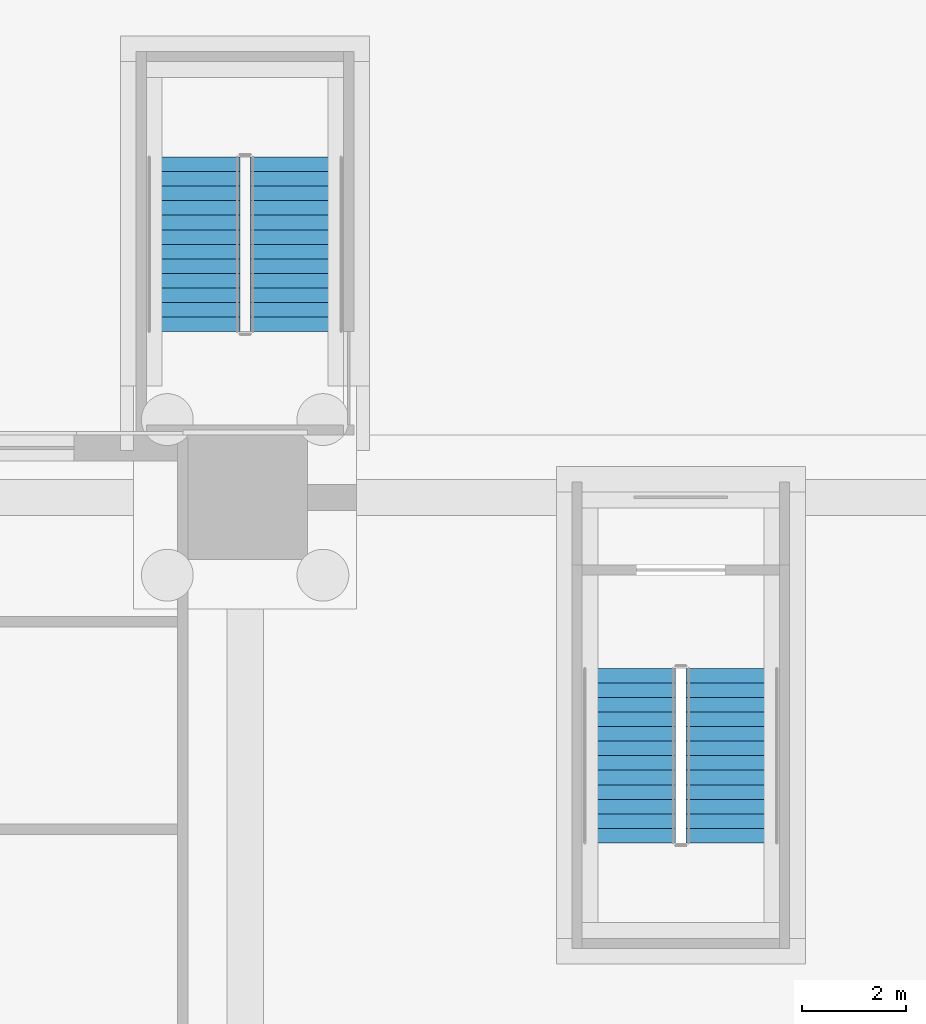
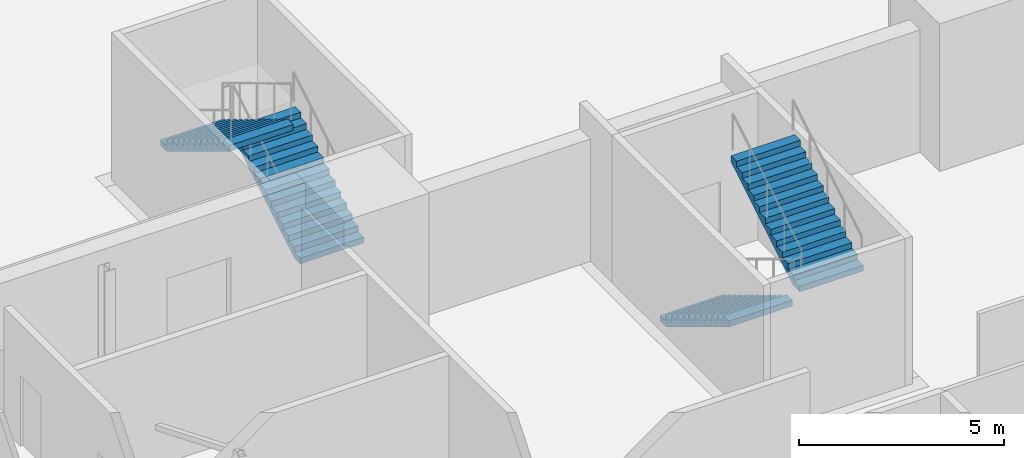
# One storey, part 107 of 139: 4 stair flights, 2 elements without a shape of their own.
"""IFC4 building model written with IfcOpenShell, lengths in metres."""

import ifcopenshell
import ifcopenshell.guid

model = None  # the IFC model being written
_history = None  # IfcOwnerHistory: only IFC2X3 demands one
_inside = {}  # id of a spatial element -> (the spatial element, [elements in it])
_under = {}  # id of a project, library or spatial element -> (it, [spatial elements below it])
_declared = {}  # id of a project -> (the project, [libraries it declares])
_typed = {}  # id of a type object -> (the type object, [elements of that type])
_made_of = {}  # id of a material, layer set ... -> (it, [elements and type objects made of it])


def new_model(schema):
    """Start an empty IFC model of exactly this schema.

    Asked for "IFC4X3", IfcOpenShell would pick the latest addendum, in which some entities
    have other attributes; the version numbers below select the first issue.
    IFC2X3 requires an IfcOwnerHistory on every rooted entity: one is made here for all.
    """
    global model, _history
    if schema == "IFC4X3":
        model = ifcopenshell.file(schema_version=(4, 3, 0, 0))
    else:
        model = ifcopenshell.file(schema=schema)
    _inside.clear()
    _under.clear()
    _declared.clear()
    _typed.clear()
    _made_of.clear()
    _history = None
    if model.schema == "IFC2X3":
        org = make("IfcOrganization", Name="unknown")
        user = make(
            "IfcPersonAndOrganization",
            ThePerson=make("IfcPerson", FamilyName="unknown"),
            TheOrganization=org,
        )
        app = make(
            "IfcApplication",
            ApplicationDeveloper=org,
            Version="unknown",
            ApplicationFullName="unknown",
            ApplicationIdentifier="unknown",
        )
        _history = make(
            "IfcOwnerHistory",
            OwningUser=user,
            OwningApplication=app,
            ChangeAction="ADDED",
            CreationDate=0,
        )
    return model


def make(cls, **values):
    """One entity of the class cls with the attributes given. An attribute that is None is left unset."""
    return model.create_entity(
        cls, **{name: value for name, value in values.items() if value is not None}
    )


def rooted(cls, **values):
    """An entity with a GlobalId (a new one), such as an element, a storey or a relation."""
    return make(cls, GlobalId=ifcopenshell.guid.new(), OwnerHistory=_history, **values)


def si_unit(unit_type, name, prefix=None):
    """IfcSIUnit, for example si_unit("LENGTHUNIT", "METRE", prefix="MILLI")."""
    return make("IfcSIUnit", UnitType=unit_type, Prefix=prefix, Name=name)


def assignment(units):
    """IfcUnitAssignment: the units of a project."""
    return None if units is None else make("IfcUnitAssignment", Units=units)


def point(xyz):
    """IfcCartesianPoint."""
    return None if xyz is None else make("IfcCartesianPoint", Coordinates=xyz)


def direction(xyz):
    """IfcDirection."""
    return None if xyz is None else make("IfcDirection", DirectionRatios=xyz)


def frame(location, z_axis=None, x_axis=None):
    """IfcAxis2Placement3D, a coordinate frame: its origin and axes. An axis left out is left unset."""
    return make(
        "IfcAxis2Placement3D",
        Location=point(location),
        Axis=direction(z_axis),
        RefDirection=direction(x_axis),
    )


def origin():
    """The frame at (0, 0, 0) with its axes left unset."""
    return frame((0.0, 0.0, 0.0))


def place(relative_to, where):
    """IfcLocalPlacement: puts the frame where relative to a parent placement (None: the world)."""
    return make(
        "IfcLocalPlacement", PlacementRelTo=relative_to, RelativePlacement=where
    )


def context(
    kind, dimensions, precision=None, world=None, true_north=None, identifier=None
):
    """IfcGeometricRepresentationContext, for example the 3D "Model" context."""
    return make(
        "IfcGeometricRepresentationContext",
        ContextIdentifier=identifier,
        ContextType=kind,
        CoordinateSpaceDimension=dimensions,
        Precision=precision,
        WorldCoordinateSystem=world,
        TrueNorth=true_north,
    )


def subcontext(parent, identifier, kind, view, scale=None):
    """IfcGeometricRepresentationSubContext, for example "Body" below "Model"."""
    return make(
        "IfcGeometricRepresentationSubContext",
        ContextIdentifier=identifier,
        ContextType=kind,
        ParentContext=parent,
        TargetScale=scale,
        TargetView=view,
    )


def project(units=None, contexts=None):
    """IfcProject with its units and contexts."""
    return rooted(
        "IfcProject",
        Name="project",
        RepresentationContexts=contexts,
        UnitsInContext=assignment(units),
    )


def spatial(cls, under=None, at=None, **own):
    """A site, building, storey or space (cls), placed at a placement, below another one or the project."""
    s = rooted(cls, ObjectPlacement=at, **own)
    if under is not None:
        _under.setdefault(under.id(), (under, []))[1].append(s)
    return s


def point_list(points):
    """IfcCartesianPointList2D or 3D."""
    cls = (
        "IfcCartesianPointList2D" if len(points[0]) == 2 else "IfcCartesianPointList3D"
    )
    return make(cls, CoordList=points)


def polygons(points, faces, closed=None, point_numbers=None):
    """IfcPolygonalFaceSet: a face is its outer loop, then its inner loops; points numbered from 1."""
    made = []
    for loops in faces:
        if len(loops) == 1:
            made.append(make("IfcIndexedPolygonalFace", CoordIndex=loops[0]))
        else:
            made.append(
                make(
                    "IfcIndexedPolygonalFaceWithVoids",
                    CoordIndex=loops[0],
                    InnerCoordIndices=loops[1:],
                )
            )
    return make(
        "IfcPolygonalFaceSet",
        Coordinates=point_list(points),
        Closed=closed,
        Faces=made,
        PnIndex=point_numbers,
    )


def shape(context_of_items, identifier, shape_type, items):
    """IfcShapeRepresentation: the items that make up one representation, for example the "Body"."""
    return make(
        "IfcShapeRepresentation",
        ContextOfItems=context_of_items,
        RepresentationIdentifier=identifier,
        RepresentationType=shape_type,
        Items=items,
    )


def material(Name=None, Category=None):
    """IfcMaterial."""
    return make("IfcMaterial", Name=Name, Category=Category)


def made_of(thing, what):
    """Note that an element or type object is made of a material, layer set ...; save() writes the relation."""
    if what is not None:
        _made_of.setdefault(what.id(), (what, []))[1].append(thing)
    return thing


def type_object(cls, material=None, **own):
    """A type object (cls), such as IfcWallType, which elements share."""
    return made_of(rooted(cls, **own), material)


def element(
    cls,
    number,
    at=None,
    inside=None,
    cuts=None,
    type_object=None,
    material=None,
    context=None,
    identifier="Body",
    shape_type=None,
    held_by="IfcProductDefinitionShape",
    body=None,
    shapes=None,
    **own,
):
    """One element of the class cls, such as IfcWall. Its Tag is "e" and its number.

    at: its placement. inside: the storey or other place that contains it. cuts: it is an
    opening in that element (IfcRelVoidsElement). A single representation is given by context,
    identifier, shape_type and body (its items); several are given by shapes. held_by: the class
    of the entity that holds the representations. save() writes the other relations.
    """
    e = rooted(cls, Tag="e%d" % number, ObjectPlacement=at, **own)
    if body is not None:
        shapes = [shape(context, identifier, shape_type, body)]
    if shapes is not None:
        e.Representation = make(held_by, Representations=shapes)
    if inside is not None:
        _inside.setdefault(inside.id(), (inside, []))[1].append(e)
    if cuts is not None:
        rooted(
            "IfcRelVoidsElement", RelatingBuildingElement=cuts, RelatedOpeningElement=e
        )
    if type_object is not None:
        _typed.setdefault(type_object.id(), (type_object, []))[1].append(e)
    return made_of(e, material)


def aggregate(whole, parts):
    """IfcRelAggregates: a whole, such as a stair, and the parts it consists of."""
    return rooted("IfcRelAggregates", RelatingObject=whole, RelatedObjects=parts)


def save(model, path):
    """Write the relations noted so far, then the file.

    IfcRelAggregates (storeys below a building ...), IfcRelContainedInSpatialStructure (elements
    in a storey), IfcRelDefinesByType, IfcRelAssociatesMaterial and IfcRelDeclares: one each for
    every whole, place, type object, material and project.
    """
    for whole, parts in _under.values():
        aggregate(whole, parts)
    for where, things in _inside.values():
        rooted(
            "IfcRelContainedInSpatialStructure",
            RelatedElements=things,
            RelatingStructure=where,
        )
    for kind, things in _typed.values():
        rooted("IfcRelDefinesByType", RelatedObjects=things, RelatingType=kind)
    for what, things in _made_of.values():
        rooted("IfcRelAssociatesMaterial", RelatedObjects=things, RelatingMaterial=what)
    for by, libraries in _declared.values():
        rooted("IfcRelDeclares", RelatingContext=by, RelatedDefinitions=libraries)
    model.write(path)


model = new_model("IFC4")

# Units and contexts
model_context = context("Model", 3, precision=1e-05, world=origin(), true_north=direction((0.0, 1.0)))
body_context = subcontext(model_context, "Body", "Model", "MODEL_VIEW")
ifc_project = project(units=[si_unit("LENGTHUNIT", "METRE"), si_unit("AREAUNIT", "SQUARE_METRE"), si_unit("VOLUMEUNIT", "CUBIC_METRE"), si_unit("PLANEANGLEUNIT", "RADIAN"), si_unit("MASSUNIT", "GRAM", prefix="KILO")], contexts=[model_context])

# Site, building, storey
site_placement = place(None, origin())
site = spatial("IfcSite", under=ifc_project, at=site_placement, CompositionType="ELEMENT")
building_placement = place(site_placement, origin())
building = spatial("IfcBuilding", under=site, at=building_placement, Name="Verrick Yard Athletic Hall", CompositionType="ELEMENT")
storey_placement = place(building_placement, origin())
storey = spatial("IfcBuildingStorey", under=building, at=storey_placement, Name="L00", CompositionType="ELEMENT", Elevation=0.0)

# Stair, stair flights
ifc_material = material(Name="Concrete 35 MPa", Category="concrete")
stair_type = type_object("IfcStairType", Name="Stair ST3 1800 wide 26 risers", PredefinedType="HALF_TURN_STAIR", material=ifc_material)
stair_1_placement = place(storey_placement, origin())
stair_1 = element("IfcStair", 1, at=stair_1_placement, inside=storey, type_object=stair_type, Name="North deck escape 1 stair L00", PredefinedType="HALF_TURN_STAIR")
stair_flight_type = type_object("IfcStairFlightType", Name="Stair flight SF3 1800 wide 13 risers", PredefinedType="STRAIGHT", material=ifc_material)
stair_flight_1_placement = place(storey_placement, frame((41.0, 56.0, 0.0), z_axis=(0.0, 0.0, 1.0), x_axis=(0.0, 1.0, 0.0)))
stair_flight_1 = element("IfcStairFlight", 2, at=stair_flight_1_placement, type_object=stair_flight_type, Name="ST3 flight 1", NumberOfRisers=13, NumberOfTreads=12, PredefinedType="STRAIGHT", RiserHeight=0.169230769, TreadLength=0.28, context=body_context, shape_type="Tessellation", body=[
    polygons([(0.28980123017674275, -0.89990234375, 0.0), (3.3600000000000003, -0.89990234375, 1.855614638571585), (3.3600000000000003, -0.89990234375, 2.030769228), (3.08, -0.89990234375, 2.030769228), (3.08, -0.89990234375, 1.8615384590000001), (2.8000000000000003, -0.89990234375, 1.8615384590000001), (2.8000000000000003, -0.89990234375, 1.69230769), (2.5200000000000005, -0.89990234375, 1.69230769), (2.5200000000000005, -0.89990234375, 1.523076921), (2.24, -0.89990234375, 1.523076921), (2.24, -0.89990234375, 1.353846152), (1.9600000000000002, -0.89990234375, 1.353846152), (1.9600000000000002, -0.89990234375, 1.1846153830000001), (1.6800000000000002, -0.89990234375, 1.1846153830000001), (1.6800000000000002, -0.89990234375, 1.015384614), (1.4000000000000001, -0.89990234375, 1.015384614), (1.4000000000000001, -0.89990234375, 0.846153845), (1.12, -0.89990234375, 0.846153845), (1.12, -0.89990234375, 0.676923076), (0.8400000000000001, -0.89990234375, 0.676923076), (0.8400000000000001, -0.89990234375, 0.507692307), (0.56, -0.89990234375, 0.507692307), (0.56, -0.89990234375, 0.338461538), (0.28, -0.89990234375, 0.338461538), (0.28, -0.89990234375, 0.169230769), (0.0, -0.89990234375, 0.169230769), (0.0, -0.89990234375, 0.0), (0.28980123017674275, -0.179931640625, 0.0), (3.3600000000000003, -0.179931640625, 1.855614638571585), (3.3600000000000003, -0.179931640625, 2.030769228), (3.08, -0.179931640625, 2.030769228), (3.08, -0.179931640625, 1.8615384590000001), (2.8000000000000003, -0.179931640625, 1.8615384590000001), (2.8000000000000003, -0.179931640625, 1.69230769), (2.5200000000000005, -0.179931640625, 1.69230769), (2.5200000000000005, -0.179931640625, 1.523076921), (2.24, -0.179931640625, 1.523076921), (2.24, -0.179931640625, 1.353846152), (1.9600000000000002, -0.179931640625, 1.353846152), (1.9600000000000002, -0.179931640625, 1.1846153830000001), (1.6800000000000002, -0.179931640625, 1.1846153830000001), (1.6800000000000002, -0.179931640625, 1.015384614), (1.4000000000000001, -0.179931640625, 1.015384614), (1.4000000000000001, -0.179931640625, 0.846153845), (1.12, -0.179931640625, 0.846153845), (1.12, -0.179931640625, 0.676923076), (0.8400000000000001, -0.179931640625, 0.676923076), (0.8400000000000001, -0.179931640625, 0.507692307), (0.56, -0.179931640625, 0.507692307), (0.56, -0.179931640625, 0.338461538), (0.28, -0.179931640625, 0.338461538), (0.28, -0.179931640625, 0.169230769), (0.0, -0.179931640625, 0.169230769), (0.0, -0.179931640625, 0.0), (0.28980123017674275, 0.179931640625, 0.0), (3.3600000000000003, 0.179931640625, 1.855614638571585), (3.3600000000000003, 0.179931640625, 2.030769228), (3.08, 0.179931640625, 2.030769228), (3.08, 0.179931640625, 1.8615384590000001), (2.8000000000000003, 0.179931640625, 1.8615384590000001), (2.8000000000000003, 0.179931640625, 1.69230769), (2.5200000000000005, 0.179931640625, 1.69230769), (2.5200000000000005, 0.179931640625, 1.523076921), (2.24, 0.179931640625, 1.523076921), (2.24, 0.179931640625, 1.353846152), (1.9600000000000002, 0.179931640625, 1.353846152), (1.9600000000000002, 0.179931640625, 1.1846153830000001), (1.6800000000000002, 0.179931640625, 1.1846153830000001), (1.6800000000000002, 0.179931640625, 1.015384614), (1.4000000000000001, 0.179931640625, 1.015384614), (1.4000000000000001, 0.179931640625, 0.846153845), (1.12, 0.179931640625, 0.846153845), (1.12, 0.179931640625, 0.676923076), (0.8400000000000001, 0.179931640625, 0.676923076), (0.8400000000000001, 0.179931640625, 0.507692307), (0.56, 0.179931640625, 0.507692307), (0.56, 0.179931640625, 0.338461538), (0.28, 0.179931640625, 0.338461538), (0.28, 0.179931640625, 0.169230769), (0.0, 0.179931640625, 0.169230769), (0.0, 0.179931640625, 0.0), (0.28980123017674275, 0.89990234375, 0.0), (3.3600000000000003, 0.89990234375, 1.855614638571585), (3.3600000000000003, 0.89990234375, 2.030769228), (3.08, 0.89990234375, 2.030769228), (3.08, 0.89990234375, 1.8615384590000001), (2.8000000000000003, 0.89990234375, 1.8615384590000001), (2.8000000000000003, 0.89990234375, 1.69230769), (2.5200000000000005, 0.89990234375, 1.69230769), (2.5200000000000005, 0.89990234375, 1.523076921), (2.24, 0.89990234375, 1.523076921), (2.24, 0.89990234375, 1.353846152), (1.9600000000000002, 0.89990234375, 1.353846152), (1.9600000000000002, 0.89990234375, 1.1846153830000001), (1.6800000000000002, 0.89990234375, 1.1846153830000001), (1.6800000000000002, 0.89990234375, 1.015384614), (1.4000000000000001, 0.89990234375, 1.015384614), (1.4000000000000001, 0.89990234375, 0.846153845), (1.12, 0.89990234375, 0.846153845), (1.12, 0.89990234375, 0.676923076), (0.8400000000000001, 0.89990234375, 0.676923076), (0.8400000000000001, 0.89990234375, 0.507692307), (0.56, 0.89990234375, 0.507692307), (0.56, 0.89990234375, 0.338461538), (0.28, 0.89990234375, 0.338461538), (0.28, 0.89990234375, 0.169230769), (0.0, 0.89990234375, 0.169230769), (0.0, 0.89990234375, 0.0)], [[[1, 2, 3, 4, 5, 6, 7, 8, 9, 10, 11, 12, 13, 14, 15, 16, 17, 18, 19, 20, 21, 22, 23, 24, 25, 26, 27]], [[108, 107, 106, 105, 104, 103, 102, 101, 100, 99, 98, 97, 96, 95, 94, 93, 92, 91, 90, 89, 88, 87, 86, 85, 84, 83, 82]], [[1, 28, 29, 2]], [[2, 29, 30, 3]], [[3, 30, 31, 4]], [[4, 31, 32, 5]], [[5, 32, 33, 6]], [[6, 33, 34, 7]], [[7, 34, 35, 8]], [[8, 35, 36, 9]], [[9, 36, 37, 10]], [[10, 37, 38, 11]], [[11, 38, 39, 12]], [[12, 39, 40, 13]], [[13, 40, 41, 14]], [[14, 41, 42, 15]], [[15, 42, 43, 16]], [[16, 43, 44, 17]], [[17, 44, 45, 18]], [[18, 45, 46, 19]], [[19, 46, 47, 20]], [[20, 47, 48, 21]], [[21, 48, 49, 22]], [[22, 49, 50, 23]], [[23, 50, 51, 24]], [[24, 51, 52, 25]], [[25, 52, 53, 26]], [[26, 53, 54, 27]], [[27, 54, 28, 1]], [[28, 55, 56, 29]], [[29, 56, 57, 30]], [[30, 57, 58, 31]], [[31, 58, 59, 32]], [[32, 59, 60, 33]], [[33, 60, 61, 34]], [[34, 61, 62, 35]], [[35, 62, 63, 36]], [[36, 63, 64, 37]], [[37, 64, 65, 38]], [[38, 65, 66, 39]], [[39, 66, 67, 40]], [[40, 67, 68, 41]], [[41, 68, 69, 42]], [[42, 69, 70, 43]], [[43, 70, 71, 44]], [[44, 71, 72, 45]], [[45, 72, 73, 46]], [[46, 73, 74, 47]], [[47, 74, 75, 48]], [[48, 75, 76, 49]], [[49, 76, 77, 50]], [[50, 77, 78, 51]], [[51, 78, 79, 52]], [[52, 79, 80, 53]], [[53, 80, 81, 54]], [[54, 81, 55, 28]], [[55, 82, 83, 56]], [[56, 83, 84, 57]], [[57, 84, 85, 58]], [[58, 85, 86, 59]], [[59, 86, 87, 60]], [[60, 87, 88, 61]], [[61, 88, 89, 62]], [[62, 89, 90, 63]], [[63, 90, 91, 64]], [[64, 91, 92, 65]], [[65, 92, 93, 66]], [[66, 93, 94, 67]], [[67, 94, 95, 68]], [[68, 95, 96, 69]], [[69, 96, 97, 70]], [[70, 97, 98, 71]], [[71, 98, 99, 72]], [[72, 99, 100, 73]], [[73, 100, 101, 74]], [[74, 101, 102, 75]], [[75, 102, 103, 76]], [[76, 103, 104, 77]], [[77, 104, 105, 78]], [[78, 105, 106, 79]], [[79, 106, 107, 80]], [[80, 107, 108, 81]], [[81, 108, 82, 55]]], closed=True),
])
stair_flight_2_placement = place(storey_placement, frame((39.0, 59.360107421875, 2.199951171875), z_axis=(0.0, 0.0, 1.0), x_axis=(0.0, -1.0, 0.0)))
stair_flight_2 = element("IfcStairFlight", 3, at=stair_flight_2_placement, type_object=stair_flight_type, Name="ST3 flight 2", NumberOfRisers=13, NumberOfTreads=12, PredefinedType="STRAIGHT", RiserHeight=0.169230769, TreadLength=0.28, context=body_context, shape_type="Tessellation", body=[
    polygons([(0.28980123017674275, -0.89990234375, 0.0), (3.3600000000000003, -0.89990234375, 1.855614638571585), (3.3600000000000003, -0.89990234375, 2.030769228), (3.08, -0.89990234375, 2.030769228), (3.08, -0.89990234375, 1.8615384590000001), (2.8000000000000003, -0.89990234375, 1.8615384590000001), (2.8000000000000003, -0.89990234375, 1.69230769), (2.5200000000000005, -0.89990234375, 1.69230769), (2.5200000000000005, -0.89990234375, 1.523076921), (2.24, -0.89990234375, 1.523076921), (2.24, -0.89990234375, 1.353846152), (1.9600000000000002, -0.89990234375, 1.353846152), (1.9600000000000002, -0.89990234375, 1.1846153830000001), (1.6800000000000002, -0.89990234375, 1.1846153830000001), (1.6800000000000002, -0.89990234375, 1.015384614), (1.4000000000000001, -0.89990234375, 1.015384614), (1.4000000000000001, -0.89990234375, 0.846153845), (1.12, -0.89990234375, 0.846153845), (1.12, -0.89990234375, 0.676923076), (0.8400000000000001, -0.89990234375, 0.676923076), (0.8400000000000001, -0.89990234375, 0.507692307), (0.56, -0.89990234375, 0.507692307), (0.56, -0.89990234375, 0.338461538), (0.28, -0.89990234375, 0.338461538), (0.28, -0.89990234375, 0.169230769), (0.0, -0.89990234375, 0.169230769), (0.0, -0.89990234375, 0.0), (0.28980123017674275, -0.179931640625, 0.0), (3.3600000000000003, -0.179931640625, 1.855614638571585), (3.3600000000000003, -0.179931640625, 2.030769228), (3.08, -0.179931640625, 2.030769228), (3.08, -0.179931640625, 1.8615384590000001), (2.8000000000000003, -0.179931640625, 1.8615384590000001), (2.8000000000000003, -0.179931640625, 1.69230769), (2.5200000000000005, -0.179931640625, 1.69230769), (2.5200000000000005, -0.179931640625, 1.523076921), (2.24, -0.179931640625, 1.523076921), (2.24, -0.179931640625, 1.353846152), (1.9600000000000002, -0.179931640625, 1.353846152), (1.9600000000000002, -0.179931640625, 1.1846153830000001), (1.6800000000000002, -0.179931640625, 1.1846153830000001), (1.6800000000000002, -0.179931640625, 1.015384614), (1.4000000000000001, -0.179931640625, 1.015384614), (1.4000000000000001, -0.179931640625, 0.846153845), (1.12, -0.179931640625, 0.846153845), (1.12, -0.179931640625, 0.676923076), (0.8400000000000001, -0.179931640625, 0.676923076), (0.8400000000000001, -0.179931640625, 0.507692307), (0.56, -0.179931640625, 0.507692307), (0.56, -0.179931640625, 0.338461538), (0.28, -0.179931640625, 0.338461538), (0.28, -0.179931640625, 0.169230769), (0.0, -0.179931640625, 0.169230769), (0.0, -0.179931640625, 0.0), (0.28980123017674275, 0.179931640625, 0.0), (3.3600000000000003, 0.179931640625, 1.855614638571585), (3.3600000000000003, 0.179931640625, 2.030769228), (3.08, 0.179931640625, 2.030769228), (3.08, 0.179931640625, 1.8615384590000001), (2.8000000000000003, 0.179931640625, 1.8615384590000001), (2.8000000000000003, 0.179931640625, 1.69230769), (2.5200000000000005, 0.179931640625, 1.69230769), (2.5200000000000005, 0.179931640625, 1.523076921), (2.24, 0.179931640625, 1.523076921), (2.24, 0.179931640625, 1.353846152), (1.9600000000000002, 0.179931640625, 1.353846152), (1.9600000000000002, 0.179931640625, 1.1846153830000001), (1.6800000000000002, 0.179931640625, 1.1846153830000001), (1.6800000000000002, 0.179931640625, 1.015384614), (1.4000000000000001, 0.179931640625, 1.015384614), (1.4000000000000001, 0.179931640625, 0.846153845), (1.12, 0.179931640625, 0.846153845), (1.12, 0.179931640625, 0.676923076), (0.8400000000000001, 0.179931640625, 0.676923076), (0.8400000000000001, 0.179931640625, 0.507692307), (0.56, 0.179931640625, 0.507692307), (0.56, 0.179931640625, 0.338461538), (0.28, 0.179931640625, 0.338461538), (0.28, 0.179931640625, 0.169230769), (0.0, 0.179931640625, 0.169230769), (0.0, 0.179931640625, 0.0), (0.28980123017674275, 0.89990234375, 0.0), (3.3600000000000003, 0.89990234375, 1.855614638571585), (3.3600000000000003, 0.89990234375, 2.030769228), (3.08, 0.89990234375, 2.030769228), (3.08, 0.89990234375, 1.8615384590000001), (2.8000000000000003, 0.89990234375, 1.8615384590000001), (2.8000000000000003, 0.89990234375, 1.69230769), (2.5200000000000005, 0.89990234375, 1.69230769), (2.5200000000000005, 0.89990234375, 1.523076921), (2.24, 0.89990234375, 1.523076921), (2.24, 0.89990234375, 1.353846152), (1.9600000000000002, 0.89990234375, 1.353846152), (1.9600000000000002, 0.89990234375, 1.1846153830000001), (1.6800000000000002, 0.89990234375, 1.1846153830000001), (1.6800000000000002, 0.89990234375, 1.015384614), (1.4000000000000001, 0.89990234375, 1.015384614), (1.4000000000000001, 0.89990234375, 0.846153845), (1.12, 0.89990234375, 0.846153845), (1.12, 0.89990234375, 0.676923076), (0.8400000000000001, 0.89990234375, 0.676923076), (0.8400000000000001, 0.89990234375, 0.507692307), (0.56, 0.89990234375, 0.507692307), (0.56, 0.89990234375, 0.338461538), (0.28, 0.89990234375, 0.338461538), (0.28, 0.89990234375, 0.169230769), (0.0, 0.89990234375, 0.169230769), (0.0, 0.89990234375, 0.0)], [[[1, 2, 3, 4, 5, 6, 7, 8, 9, 10, 11, 12, 13, 14, 15, 16, 17, 18, 19, 20, 21, 22, 23, 24, 25, 26, 27]], [[108, 107, 106, 105, 104, 103, 102, 101, 100, 99, 98, 97, 96, 95, 94, 93, 92, 91, 90, 89, 88, 87, 86, 85, 84, 83, 82]], [[1, 28, 29, 2]], [[2, 29, 30, 3]], [[3, 30, 31, 4]], [[4, 31, 32, 5]], [[5, 32, 33, 6]], [[6, 33, 34, 7]], [[7, 34, 35, 8]], [[8, 35, 36, 9]], [[9, 36, 37, 10]], [[10, 37, 38, 11]], [[11, 38, 39, 12]], [[12, 39, 40, 13]], [[13, 40, 41, 14]], [[14, 41, 42, 15]], [[15, 42, 43, 16]], [[16, 43, 44, 17]], [[17, 44, 45, 18]], [[18, 45, 46, 19]], [[19, 46, 47, 20]], [[20, 47, 48, 21]], [[21, 48, 49, 22]], [[22, 49, 50, 23]], [[23, 50, 51, 24]], [[24, 51, 52, 25]], [[25, 52, 53, 26]], [[26, 53, 54, 27]], [[27, 54, 28, 1]], [[28, 55, 56, 29]], [[29, 56, 57, 30]], [[30, 57, 58, 31]], [[31, 58, 59, 32]], [[32, 59, 60, 33]], [[33, 60, 61, 34]], [[34, 61, 62, 35]], [[35, 62, 63, 36]], [[36, 63, 64, 37]], [[37, 64, 65, 38]], [[38, 65, 66, 39]], [[39, 66, 67, 40]], [[40, 67, 68, 41]], [[41, 68, 69, 42]], [[42, 69, 70, 43]], [[43, 70, 71, 44]], [[44, 71, 72, 45]], [[45, 72, 73, 46]], [[46, 73, 74, 47]], [[47, 74, 75, 48]], [[48, 75, 76, 49]], [[49, 76, 77, 50]], [[50, 77, 78, 51]], [[51, 78, 79, 52]], [[52, 79, 80, 53]], [[53, 80, 81, 54]], [[54, 81, 55, 28]], [[55, 82, 83, 56]], [[56, 83, 84, 57]], [[57, 84, 85, 58]], [[58, 85, 86, 59]], [[59, 86, 87, 60]], [[60, 87, 88, 61]], [[61, 88, 89, 62]], [[62, 89, 90, 63]], [[63, 90, 91, 64]], [[64, 91, 92, 65]], [[65, 92, 93, 66]], [[66, 93, 94, 67]], [[67, 94, 95, 68]], [[68, 95, 96, 69]], [[69, 96, 97, 70]], [[70, 97, 98, 71]], [[71, 98, 99, 72]], [[72, 99, 100, 73]], [[73, 100, 101, 74]], [[74, 101, 102, 75]], [[75, 102, 103, 76]], [[76, 103, 104, 77]], [[77, 104, 105, 78]], [[78, 105, 106, 79]], [[79, 106, 107, 80]], [[80, 107, 108, 81]], [[81, 108, 82, 55]]], closed=True),
])
aggregate(stair_1, [stair_flight_1, stair_flight_2])

stair_2_placement = place(storey_placement, origin())
stair_2 = element("IfcStair", 4, at=stair_2_placement, inside=storey, type_object=stair_type, Name="North plinth exit 1 stair L00", PredefinedType="HALF_TURN_STAIR")
stair_flight_3_placement = place(storey_placement, frame((47.39990234375, 49.5, 0.0), z_axis=(0.0, 0.0, 1.0), x_axis=(0.0, -1.0, 0.0)))
stair_flight_3 = element("IfcStairFlight", 5, at=stair_flight_3_placement, type_object=stair_flight_type, Name="ST3 flight 1", NumberOfRisers=13, NumberOfTreads=12, PredefinedType="STRAIGHT", RiserHeight=0.169230769, TreadLength=0.28, context=body_context, shape_type="Tessellation", body=[
    polygons([(0.28980123017674275, -0.89990234375, 0.0), (3.3600000000000003, -0.89990234375, 1.855614638571585), (3.3600000000000003, -0.89990234375, 2.030769228), (3.08, -0.89990234375, 2.030769228), (3.08, -0.89990234375, 1.8615384590000001), (2.8000000000000003, -0.89990234375, 1.8615384590000001), (2.8000000000000003, -0.89990234375, 1.69230769), (2.5200000000000005, -0.89990234375, 1.69230769), (2.5200000000000005, -0.89990234375, 1.523076921), (2.24, -0.89990234375, 1.523076921), (2.24, -0.89990234375, 1.353846152), (1.9600000000000002, -0.89990234375, 1.353846152), (1.9600000000000002, -0.89990234375, 1.1846153830000001), (1.6800000000000002, -0.89990234375, 1.1846153830000001), (1.6800000000000002, -0.89990234375, 1.015384614), (1.4000000000000001, -0.89990234375, 1.015384614), (1.4000000000000001, -0.89990234375, 0.846153845), (1.12, -0.89990234375, 0.846153845), (1.12, -0.89990234375, 0.676923076), (0.8400000000000001, -0.89990234375, 0.676923076), (0.8400000000000001, -0.89990234375, 0.507692307), (0.56, -0.89990234375, 0.507692307), (0.56, -0.89990234375, 0.338461538), (0.28, -0.89990234375, 0.338461538), (0.28, -0.89990234375, 0.169230769), (0.0, -0.89990234375, 0.169230769), (0.0, -0.89990234375, 0.0), (0.28980123017674275, -0.179931640625, 0.0), (3.3600000000000003, -0.179931640625, 1.855614638571585), (3.3600000000000003, -0.179931640625, 2.030769228), (3.08, -0.179931640625, 2.030769228), (3.08, -0.179931640625, 1.8615384590000001), (2.8000000000000003, -0.179931640625, 1.8615384590000001), (2.8000000000000003, -0.179931640625, 1.69230769), (2.5200000000000005, -0.179931640625, 1.69230769), (2.5200000000000005, -0.179931640625, 1.523076921), (2.24, -0.179931640625, 1.523076921), (2.24, -0.179931640625, 1.353846152), (1.9600000000000002, -0.179931640625, 1.353846152), (1.9600000000000002, -0.179931640625, 1.1846153830000001), (1.6800000000000002, -0.179931640625, 1.1846153830000001), (1.6800000000000002, -0.179931640625, 1.015384614), (1.4000000000000001, -0.179931640625, 1.015384614), (1.4000000000000001, -0.179931640625, 0.846153845), (1.12, -0.179931640625, 0.846153845), (1.12, -0.179931640625, 0.676923076), (0.8400000000000001, -0.179931640625, 0.676923076), (0.8400000000000001, -0.179931640625, 0.507692307), (0.56, -0.179931640625, 0.507692307), (0.56, -0.179931640625, 0.338461538), (0.28, -0.179931640625, 0.338461538), (0.28, -0.179931640625, 0.169230769), (0.0, -0.179931640625, 0.169230769), (0.0, -0.179931640625, 0.0), (0.28980123017674275, 0.179931640625, 0.0), (3.3600000000000003, 0.179931640625, 1.855614638571585), (3.3600000000000003, 0.179931640625, 2.030769228), (3.08, 0.179931640625, 2.030769228), (3.08, 0.179931640625, 1.8615384590000001), (2.8000000000000003, 0.179931640625, 1.8615384590000001), (2.8000000000000003, 0.179931640625, 1.69230769), (2.5200000000000005, 0.179931640625, 1.69230769), (2.5200000000000005, 0.179931640625, 1.523076921), (2.24, 0.179931640625, 1.523076921), (2.24, 0.179931640625, 1.353846152), (1.9600000000000002, 0.179931640625, 1.353846152), (1.9600000000000002, 0.179931640625, 1.1846153830000001), (1.6800000000000002, 0.179931640625, 1.1846153830000001), (1.6800000000000002, 0.179931640625, 1.015384614), (1.4000000000000001, 0.179931640625, 1.015384614), (1.4000000000000001, 0.179931640625, 0.846153845), (1.12, 0.179931640625, 0.846153845), (1.12, 0.179931640625, 0.676923076), (0.8400000000000001, 0.179931640625, 0.676923076), (0.8400000000000001, 0.179931640625, 0.507692307), (0.56, 0.179931640625, 0.507692307), (0.56, 0.179931640625, 0.338461538), (0.28, 0.179931640625, 0.338461538), (0.28, 0.179931640625, 0.169230769), (0.0, 0.179931640625, 0.169230769), (0.0, 0.179931640625, 0.0), (0.28980123017674275, 0.89990234375, 0.0), (3.3600000000000003, 0.89990234375, 1.855614638571585), (3.3600000000000003, 0.89990234375, 2.030769228), (3.08, 0.89990234375, 2.030769228), (3.08, 0.89990234375, 1.8615384590000001), (2.8000000000000003, 0.89990234375, 1.8615384590000001), (2.8000000000000003, 0.89990234375, 1.69230769), (2.5200000000000005, 0.89990234375, 1.69230769), (2.5200000000000005, 0.89990234375, 1.523076921), (2.24, 0.89990234375, 1.523076921), (2.24, 0.89990234375, 1.353846152), (1.9600000000000002, 0.89990234375, 1.353846152), (1.9600000000000002, 0.89990234375, 1.1846153830000001), (1.6800000000000002, 0.89990234375, 1.1846153830000001), (1.6800000000000002, 0.89990234375, 1.015384614), (1.4000000000000001, 0.89990234375, 1.015384614), (1.4000000000000001, 0.89990234375, 0.846153845), (1.12, 0.89990234375, 0.846153845), (1.12, 0.89990234375, 0.676923076), (0.8400000000000001, 0.89990234375, 0.676923076), (0.8400000000000001, 0.89990234375, 0.507692307), (0.56, 0.89990234375, 0.507692307), (0.56, 0.89990234375, 0.338461538), (0.28, 0.89990234375, 0.338461538), (0.28, 0.89990234375, 0.169230769), (0.0, 0.89990234375, 0.169230769), (0.0, 0.89990234375, 0.0)], [[[1, 2, 3, 4, 5, 6, 7, 8, 9, 10, 11, 12, 13, 14, 15, 16, 17, 18, 19, 20, 21, 22, 23, 24, 25, 26, 27]], [[108, 107, 106, 105, 104, 103, 102, 101, 100, 99, 98, 97, 96, 95, 94, 93, 92, 91, 90, 89, 88, 87, 86, 85, 84, 83, 82]], [[1, 28, 29, 2]], [[2, 29, 30, 3]], [[3, 30, 31, 4]], [[4, 31, 32, 5]], [[5, 32, 33, 6]], [[6, 33, 34, 7]], [[7, 34, 35, 8]], [[8, 35, 36, 9]], [[9, 36, 37, 10]], [[10, 37, 38, 11]], [[11, 38, 39, 12]], [[12, 39, 40, 13]], [[13, 40, 41, 14]], [[14, 41, 42, 15]], [[15, 42, 43, 16]], [[16, 43, 44, 17]], [[17, 44, 45, 18]], [[18, 45, 46, 19]], [[19, 46, 47, 20]], [[20, 47, 48, 21]], [[21, 48, 49, 22]], [[22, 49, 50, 23]], [[23, 50, 51, 24]], [[24, 51, 52, 25]], [[25, 52, 53, 26]], [[26, 53, 54, 27]], [[27, 54, 28, 1]], [[28, 55, 56, 29]], [[29, 56, 57, 30]], [[30, 57, 58, 31]], [[31, 58, 59, 32]], [[32, 59, 60, 33]], [[33, 60, 61, 34]], [[34, 61, 62, 35]], [[35, 62, 63, 36]], [[36, 63, 64, 37]], [[37, 64, 65, 38]], [[38, 65, 66, 39]], [[39, 66, 67, 40]], [[40, 67, 68, 41]], [[41, 68, 69, 42]], [[42, 69, 70, 43]], [[43, 70, 71, 44]], [[44, 71, 72, 45]], [[45, 72, 73, 46]], [[46, 73, 74, 47]], [[47, 74, 75, 48]], [[48, 75, 76, 49]], [[49, 76, 77, 50]], [[50, 77, 78, 51]], [[51, 78, 79, 52]], [[52, 79, 80, 53]], [[53, 80, 81, 54]], [[54, 81, 55, 28]], [[55, 82, 83, 56]], [[56, 83, 84, 57]], [[57, 84, 85, 58]], [[58, 85, 86, 59]], [[59, 86, 87, 60]], [[60, 87, 88, 61]], [[61, 88, 89, 62]], [[62, 89, 90, 63]], [[63, 90, 91, 64]], [[64, 91, 92, 65]], [[65, 92, 93, 66]], [[66, 93, 94, 67]], [[67, 94, 95, 68]], [[68, 95, 96, 69]], [[69, 96, 97, 70]], [[70, 97, 98, 71]], [[71, 98, 99, 72]], [[72, 99, 100, 73]], [[73, 100, 101, 74]], [[74, 101, 102, 75]], [[75, 102, 103, 76]], [[76, 103, 104, 77]], [[77, 104, 105, 78]], [[78, 105, 106, 79]], [[79, 106, 107, 80]], [[80, 107, 108, 81]], [[81, 108, 82, 55]]], closed=True),
])
stair_flight_4_placement = place(storey_placement, frame((49.39990234375, 46.139892578125, 2.199951171875), z_axis=(0.0, 0.0, 1.0), x_axis=(0.0, 1.0, 0.0)))
stair_flight_4 = element("IfcStairFlight", 6, at=stair_flight_4_placement, type_object=stair_flight_type, Name="ST3 flight 2", NumberOfRisers=13, NumberOfTreads=12, PredefinedType="STRAIGHT", RiserHeight=0.169230769, TreadLength=0.28, context=body_context, shape_type="Tessellation", body=[
    polygons([(0.28980123017674275, -0.89990234375, 0.0), (3.3600000000000003, -0.89990234375, 1.855614638571585), (3.3600000000000003, -0.89990234375, 2.030769228), (3.08, -0.89990234375, 2.030769228), (3.08, -0.89990234375, 1.8615384590000001), (2.8000000000000003, -0.89990234375, 1.8615384590000001), (2.8000000000000003, -0.89990234375, 1.69230769), (2.5200000000000005, -0.89990234375, 1.69230769), (2.5200000000000005, -0.89990234375, 1.523076921), (2.24, -0.89990234375, 1.523076921), (2.24, -0.89990234375, 1.353846152), (1.9600000000000002, -0.89990234375, 1.353846152), (1.9600000000000002, -0.89990234375, 1.1846153830000001), (1.6800000000000002, -0.89990234375, 1.1846153830000001), (1.6800000000000002, -0.89990234375, 1.015384614), (1.4000000000000001, -0.89990234375, 1.015384614), (1.4000000000000001, -0.89990234375, 0.846153845), (1.12, -0.89990234375, 0.846153845), (1.12, -0.89990234375, 0.676923076), (0.8400000000000001, -0.89990234375, 0.676923076), (0.8400000000000001, -0.89990234375, 0.507692307), (0.56, -0.89990234375, 0.507692307), (0.56, -0.89990234375, 0.338461538), (0.28, -0.89990234375, 0.338461538), (0.28, -0.89990234375, 0.169230769), (0.0, -0.89990234375, 0.169230769), (0.0, -0.89990234375, 0.0), (0.28980123017674275, -0.179931640625, 0.0), (3.3600000000000003, -0.179931640625, 1.855614638571585), (3.3600000000000003, -0.179931640625, 2.030769228), (3.08, -0.179931640625, 2.030769228), (3.08, -0.179931640625, 1.8615384590000001), (2.8000000000000003, -0.179931640625, 1.8615384590000001), (2.8000000000000003, -0.179931640625, 1.69230769), (2.5200000000000005, -0.179931640625, 1.69230769), (2.5200000000000005, -0.179931640625, 1.523076921), (2.24, -0.179931640625, 1.523076921), (2.24, -0.179931640625, 1.353846152), (1.9600000000000002, -0.179931640625, 1.353846152), (1.9600000000000002, -0.179931640625, 1.1846153830000001), (1.6800000000000002, -0.179931640625, 1.1846153830000001), (1.6800000000000002, -0.179931640625, 1.015384614), (1.4000000000000001, -0.179931640625, 1.015384614), (1.4000000000000001, -0.179931640625, 0.846153845), (1.12, -0.179931640625, 0.846153845), (1.12, -0.179931640625, 0.676923076), (0.8400000000000001, -0.179931640625, 0.676923076), (0.8400000000000001, -0.179931640625, 0.507692307), (0.56, -0.179931640625, 0.507692307), (0.56, -0.179931640625, 0.338461538), (0.28, -0.179931640625, 0.338461538), (0.28, -0.179931640625, 0.169230769), (0.0, -0.179931640625, 0.169230769), (0.0, -0.179931640625, 0.0), (0.28980123017674275, 0.179931640625, 0.0), (3.3600000000000003, 0.179931640625, 1.855614638571585), (3.3600000000000003, 0.179931640625, 2.030769228), (3.08, 0.179931640625, 2.030769228), (3.08, 0.179931640625, 1.8615384590000001), (2.8000000000000003, 0.179931640625, 1.8615384590000001), (2.8000000000000003, 0.179931640625, 1.69230769), (2.5200000000000005, 0.179931640625, 1.69230769), (2.5200000000000005, 0.179931640625, 1.523076921), (2.24, 0.179931640625, 1.523076921), (2.24, 0.179931640625, 1.353846152), (1.9600000000000002, 0.179931640625, 1.353846152), (1.9600000000000002, 0.179931640625, 1.1846153830000001), (1.6800000000000002, 0.179931640625, 1.1846153830000001), (1.6800000000000002, 0.179931640625, 1.015384614), (1.4000000000000001, 0.179931640625, 1.015384614), (1.4000000000000001, 0.179931640625, 0.846153845), (1.12, 0.179931640625, 0.846153845), (1.12, 0.179931640625, 0.676923076), (0.8400000000000001, 0.179931640625, 0.676923076), (0.8400000000000001, 0.179931640625, 0.507692307), (0.56, 0.179931640625, 0.507692307), (0.56, 0.179931640625, 0.338461538), (0.28, 0.179931640625, 0.338461538), (0.28, 0.179931640625, 0.169230769), (0.0, 0.179931640625, 0.169230769), (0.0, 0.179931640625, 0.0), (0.28980123017674275, 0.89990234375, 0.0), (3.3600000000000003, 0.89990234375, 1.855614638571585), (3.3600000000000003, 0.89990234375, 2.030769228), (3.08, 0.89990234375, 2.030769228), (3.08, 0.89990234375, 1.8615384590000001), (2.8000000000000003, 0.89990234375, 1.8615384590000001), (2.8000000000000003, 0.89990234375, 1.69230769), (2.5200000000000005, 0.89990234375, 1.69230769), (2.5200000000000005, 0.89990234375, 1.523076921), (2.24, 0.89990234375, 1.523076921), (2.24, 0.89990234375, 1.353846152), (1.9600000000000002, 0.89990234375, 1.353846152), (1.9600000000000002, 0.89990234375, 1.1846153830000001), (1.6800000000000002, 0.89990234375, 1.1846153830000001), (1.6800000000000002, 0.89990234375, 1.015384614), (1.4000000000000001, 0.89990234375, 1.015384614), (1.4000000000000001, 0.89990234375, 0.846153845), (1.12, 0.89990234375, 0.846153845), (1.12, 0.89990234375, 0.676923076), (0.8400000000000001, 0.89990234375, 0.676923076), (0.8400000000000001, 0.89990234375, 0.507692307), (0.56, 0.89990234375, 0.507692307), (0.56, 0.89990234375, 0.338461538), (0.28, 0.89990234375, 0.338461538), (0.28, 0.89990234375, 0.169230769), (0.0, 0.89990234375, 0.169230769), (0.0, 0.89990234375, 0.0)], [[[1, 2, 3, 4, 5, 6, 7, 8, 9, 10, 11, 12, 13, 14, 15, 16, 17, 18, 19, 20, 21, 22, 23, 24, 25, 26, 27]], [[108, 107, 106, 105, 104, 103, 102, 101, 100, 99, 98, 97, 96, 95, 94, 93, 92, 91, 90, 89, 88, 87, 86, 85, 84, 83, 82]], [[1, 28, 29, 2]], [[2, 29, 30, 3]], [[3, 30, 31, 4]], [[4, 31, 32, 5]], [[5, 32, 33, 6]], [[6, 33, 34, 7]], [[7, 34, 35, 8]], [[8, 35, 36, 9]], [[9, 36, 37, 10]], [[10, 37, 38, 11]], [[11, 38, 39, 12]], [[12, 39, 40, 13]], [[13, 40, 41, 14]], [[14, 41, 42, 15]], [[15, 42, 43, 16]], [[16, 43, 44, 17]], [[17, 44, 45, 18]], [[18, 45, 46, 19]], [[19, 46, 47, 20]], [[20, 47, 48, 21]], [[21, 48, 49, 22]], [[22, 49, 50, 23]], [[23, 50, 51, 24]], [[24, 51, 52, 25]], [[25, 52, 53, 26]], [[26, 53, 54, 27]], [[27, 54, 28, 1]], [[28, 55, 56, 29]], [[29, 56, 57, 30]], [[30, 57, 58, 31]], [[31, 58, 59, 32]], [[32, 59, 60, 33]], [[33, 60, 61, 34]], [[34, 61, 62, 35]], [[35, 62, 63, 36]], [[36, 63, 64, 37]], [[37, 64, 65, 38]], [[38, 65, 66, 39]], [[39, 66, 67, 40]], [[40, 67, 68, 41]], [[41, 68, 69, 42]], [[42, 69, 70, 43]], [[43, 70, 71, 44]], [[44, 71, 72, 45]], [[45, 72, 73, 46]], [[46, 73, 74, 47]], [[47, 74, 75, 48]], [[48, 75, 76, 49]], [[49, 76, 77, 50]], [[50, 77, 78, 51]], [[51, 78, 79, 52]], [[52, 79, 80, 53]], [[53, 80, 81, 54]], [[54, 81, 55, 28]], [[55, 82, 83, 56]], [[56, 83, 84, 57]], [[57, 84, 85, 58]], [[58, 85, 86, 59]], [[59, 86, 87, 60]], [[60, 87, 88, 61]], [[61, 88, 89, 62]], [[62, 89, 90, 63]], [[63, 90, 91, 64]], [[64, 91, 92, 65]], [[65, 92, 93, 66]], [[66, 93, 94, 67]], [[67, 94, 95, 68]], [[68, 95, 96, 69]], [[69, 96, 97, 70]], [[70, 97, 98, 71]], [[71, 98, 99, 72]], [[72, 99, 100, 73]], [[73, 100, 101, 74]], [[74, 101, 102, 75]], [[75, 102, 103, 76]], [[76, 103, 104, 77]], [[77, 104, 105, 78]], [[78, 105, 106, 79]], [[79, 106, 107, 80]], [[80, 107, 108, 81]], [[81, 108, 82, 55]]], closed=True),
])
aggregate(stair_2, [stair_flight_3, stair_flight_4])

save(model, "model.ifc")
